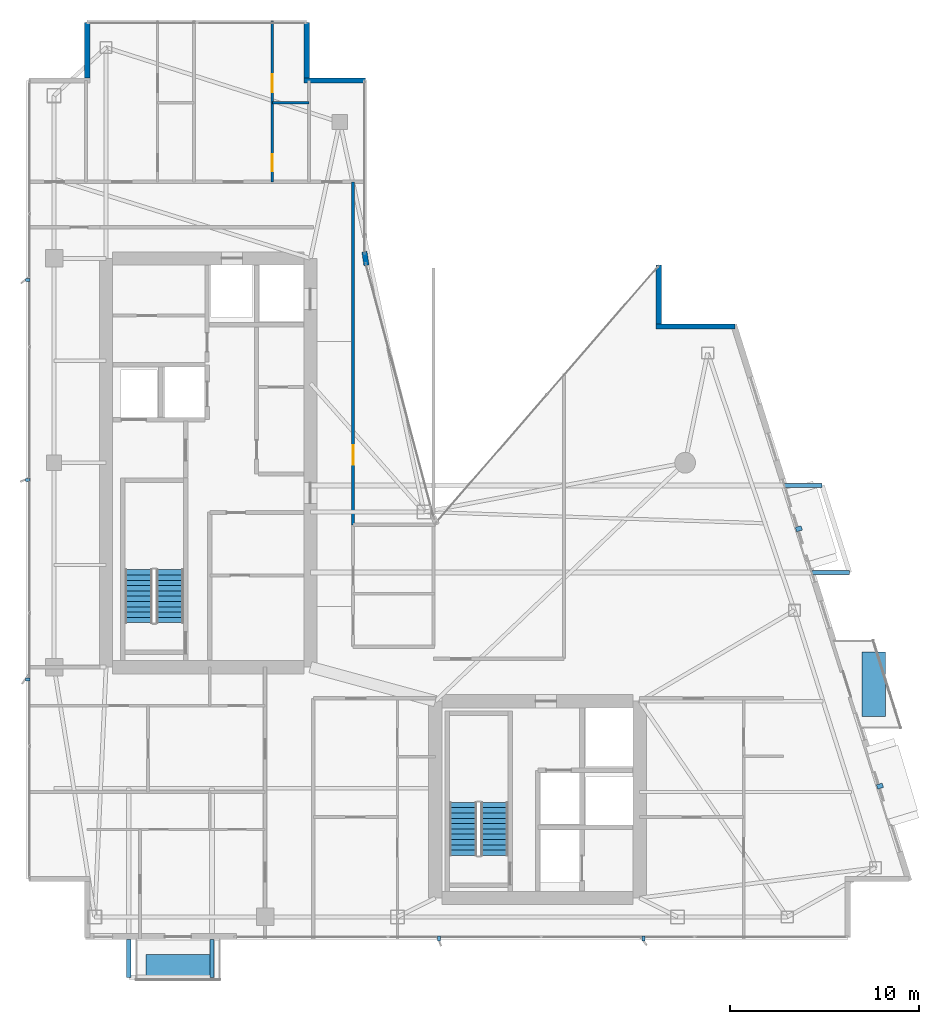
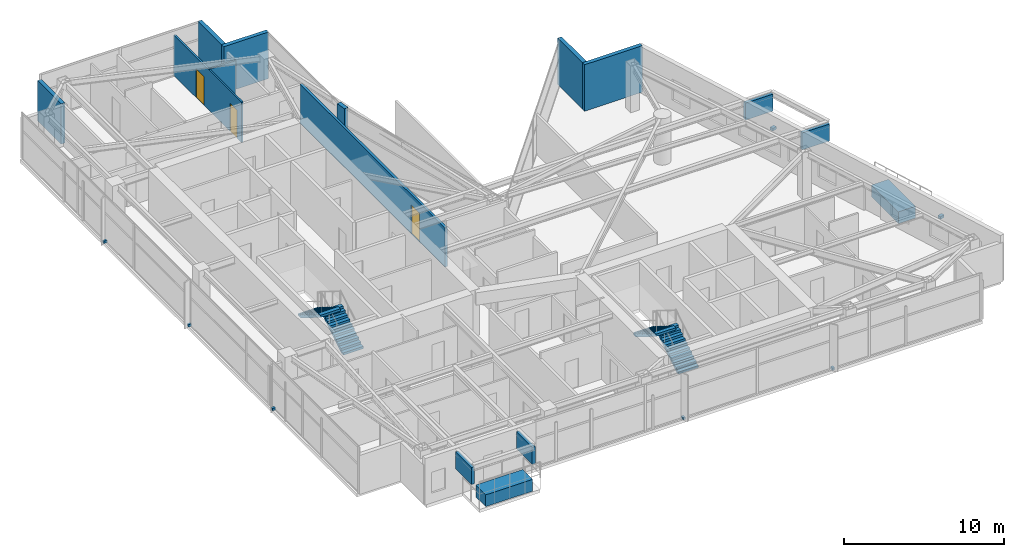
# One storey, part 27 of 29: 13 discrete accessories, 9 walls, 4 stair flights, 3 doors, 3 openings, 2 elements without a shape of their own.
"""IFC4 building model written with IfcOpenShell, lengths in metres."""

from ifc_helpers import new_model, si_unit, direction, frame, frame_2d, origin, origin_2d, place, context, subcontext, project, spatial, polyline, rectangle, outline, extrude, material, layer, layer_set, type_object, element, fill, aggregate, save


model = new_model("IFC4")

# Units and contexts
model_context = context("Model", 3, precision=1e-05, world=origin(), true_north=direction((0.0, 1.0)))
body_context = subcontext(model_context, "Body", "Model", "MODEL_VIEW")
ifc_project = project(units=[si_unit("LENGTHUNIT", "METRE"), si_unit("AREAUNIT", "SQUARE_METRE"), si_unit("VOLUMEUNIT", "CUBIC_METRE"), si_unit("PLANEANGLEUNIT", "RADIAN"), si_unit("MASSUNIT", "GRAM", prefix="KILO")], contexts=[model_context])

# Site, building, storey
site_placement = place(None, origin())
site = spatial("IfcSite", under=ifc_project, at=site_placement, CompositionType="ELEMENT")
building_placement = place(site_placement, origin())
building = spatial("IfcBuilding", under=site, at=building_placement, Name="Calvorn Quay Hotel", CompositionType="ELEMENT")
storey_placement = place(building_placement, frame((0.0, 0.0, 251.39990234375)))
storey = spatial("IfcBuildingStorey", under=building, at=storey_placement, Name="L62", CompositionType="ELEMENT", Elevation=251.39990234375)

# Wall, opening, door
ifc_material_1 = material(Name="Acoustic Fireboard Steel-Stud Partition", Category="steel")
ifc_layer_1 = layer(ifc_material_1, 0.179931640625)
ifc_layer_set_1 = layer_set([ifc_layer_1], Name="WL-CORR-FIRE-180")
wall_type_1 = type_object("IfcWallType", Name="WL-CORR-FIRE-180", PredefinedType="PARTITIONING", material=ifc_layer_set_1)
wall_1_placement = place(storey_placement, frame((17.25, 24.300048828125, 0.0), z_axis=(0.0, 0.0, 1.0), x_axis=(0.0, 1.0, 0.0)))
wall_1 = element("IfcWall", 1, at=wall_1_placement, inside=storey, type_object=wall_type_1, Name="Partition Wall L62-WL-NW-CLOSURE-E", PredefinedType="PARTITIONING", context=body_context, shape_type="SweptSolid", body=[
    extrude(rectangle(XDim=18.14990234375, YDim=0.179931640625, at=frame_2d((9.074951171875, 0.0))), origin(), (0.0, 0.0, 1.0), 2.989990234375),
])
opening_1_placement = place(wall_1_placement, frame((3.199951171875, 0.0, 0.0)))
opening_1 = element("IfcOpeningElement", 2, at=opening_1_placement, cuts=wall_1, Name="Opening D-L62-NCU", PredefinedType="OPENING", context=body_context, shape_type="SweptSolid", body=[
    extrude(rectangle(XDim=1.02001953125, YDim=2.199951171875, at=frame_2d((0.510009765625, 1.10009765625))), frame((0.0, 0.099853515625, 0.0), z_axis=(0.0, -1.0, 0.0), x_axis=(1.0, 0.0, 0.0)), (0.0, 0.0, 1.0), 0.199951171875),
])
ifc_material_2 = material(Name="Solid-Core Walnut Veneer Hotel Fire Door")
door_type_1 = type_object("IfcDoorType", Name="DR-GUEST-ENTRY-1020", OperationType="NOTDEFINED", PredefinedType="DOOR", material=ifc_material_2)
door_1_placement = place(opening_1_placement, origin())
door_1 = element("IfcDoor", 3, at=door_1_placement, inside=storey, type_object=door_type_1, Name="Inner Court Horizon Study Door (L62)", OperationType="SINGLE_SWING_RIGHT", OverallHeight=2.199951171875, OverallWidth=1.02001953125, PredefinedType="DOOR", context=body_context, shape_type="SweptSolid", body=[
    extrude(rectangle(XDim=1.02001953125, YDim=2.199951171875, at=frame_2d((0.510009765625, 1.10009765625))), frame((0.0, 0.02490234375, 0.0), z_axis=(0.0, -1.0, 0.0), x_axis=(1.0, 0.0, 0.0)), (0.0, 0.0, 1.0), 0.050048828125),
])
fill(opening_1, door_1)

# Wall
ifc_material_3 = material(Name="Moisture-Resistant Tile-Backed Partition")
ifc_layer_2 = layer(ifc_material_3, 0.125)
ifc_layer_set_2 = layer_set([ifc_layer_2], Name="WL-ENSUITE-125")
wall_type_2 = type_object("IfcWallType", Name="WL-ENSUITE-125", PredefinedType="PARTITIONING", material=ifc_layer_set_2)
wall_2_placement = place(storey_placement, frame((12.989990234375, 46.6201171875, 0.0), z_axis=(0.0, 0.0, 1.0), x_axis=(1.0, 0.0, 0.0)))
element("IfcWall", 4, at=wall_2_placement, inside=storey, type_object=wall_type_2, Name="Partition Wall L62-WL-U05-BDV", PredefinedType="PARTITIONING", context=body_context, shape_type="SweptSolid", body=[
    extrude(rectangle(XDim=1.929931640625, YDim=0.125, at=frame_2d((0.96484375, 0.0))), origin(), (0.0, 0.0, 1.0), 3.090087890625),
])

# Wall, openings, doors
wall_3_placement = place(storey_placement, frame((12.989990234375, 42.449951171875, 0.0), z_axis=(0.0, 0.0, 1.0), x_axis=(0.0, 1.0, 0.0)))
wall_3 = element("IfcWall", 5, at=wall_3_placement, inside=storey, type_object=wall_type_2, Name="Partition Wall L62-WL-U05-BV", PredefinedType="PARTITIONING", context=body_context, shape_type="SweptSolid", body=[
    extrude(rectangle(XDim=8.489990234375, YDim=0.125, at=frame_2d((4.2451171875, 0.0))), origin(), (0.0, 0.0, 1.0), 3.090087890625),
])
opening_2_placement = place(wall_3_placement, frame((0.550048828125, 0.0, 0.0)))
opening_2 = element("IfcOpeningElement", 6, at=opening_2_placement, cuts=wall_3, Name="Opening D-L62-E05", PredefinedType="OPENING", context=body_context, shape_type="SweptSolid", body=[
    extrude(rectangle(XDim=0.89990234375, YDim=2.14990234375, at=frame_2d((0.449951171875, 1.074951171875))), frame((0.0, 0.072509765625, 0.0), z_axis=(0.0, -1.0, 0.0), x_axis=(1.0, 0.0, 0.0)), (0.0, 0.0, 1.0), 0.14501953125),
])
opening_3_placement = place(wall_3_placement, frame((4.719970703125, 0.0, 0.0)))
opening_3 = element("IfcOpeningElement", 7, at=opening_3_placement, cuts=wall_3, Name="Opening D-L62-S05", PredefinedType="OPENING", context=body_context, shape_type="SweptSolid", body=[
    extrude(rectangle(XDim=0.9599609375, YDim=2.199951171875, at=frame_2d((0.47998046875, 1.10009765625))), frame((0.0, 0.072509765625, 0.0), z_axis=(0.0, -1.0, 0.0), x_axis=(1.0, 0.0, 0.0)), (0.0, 0.0, 1.0), 0.14501953125),
])
ifc_material_4 = material(Name="Moisture-Sealed Timber En-Suite Door", Category="wood")
door_type_2 = type_object("IfcDoorType", Name="DR-ENSUITE-900", OperationType="NOTDEFINED", PredefinedType="DOOR", material=ifc_material_4)
door_2_placement = place(opening_2_placement, origin())
door_2 = element("IfcDoor", 8, at=door_2_placement, inside=storey, type_object=door_type_2, Name="En-Suite Door 05", OperationType="SINGLE_SWING_LEFT", OverallHeight=2.14990234375, OverallWidth=0.89990234375, PredefinedType="DOOR", context=body_context, shape_type="SweptSolid", body=[
    extrude(rectangle(XDim=0.89990234375, YDim=2.14990234375, at=frame_2d((0.449951171875, 1.074951171875))), frame((0.0, 0.02490234375, 0.0), z_axis=(0.0, -1.0, 0.0), x_axis=(1.0, 0.0, 0.0)), (0.0, 0.0, 1.0), 0.050048828125),
])
fill(opening_2, door_2)
ifc_material_5 = material(Name="Solid Timber Internal Suite Door", Category="wood")
door_type_3 = type_object("IfcDoorType", Name="DR-SUITE-INT-960", OperationType="NOTDEFINED", PredefinedType="DOOR", material=ifc_material_5)
door_3_placement = place(opening_3_placement, origin())
door_3 = element("IfcDoor", 9, at=door_3_placement, inside=storey, type_object=door_type_3, Name="Curated Resort Boutique Door 05", OperationType="SINGLE_SWING_RIGHT", OverallHeight=2.199951171875, OverallWidth=0.9599609375, PredefinedType="DOOR", context=body_context, shape_type="SweptSolid", body=[
    extrude(rectangle(XDim=0.9599609375, YDim=2.199951171875, at=frame_2d((0.47998046875, 1.10009765625))), frame((0.0, 0.02490234375, 0.0), z_axis=(0.0, -1.0, 0.0), x_axis=(1.0, 0.0, 0.0)), (0.0, 0.0, 1.0), 0.050048828125),
])
fill(opening_3, door_3)

# Walls
ifc_material_6 = material(Name="Concrete C40", Category="concrete")
ifc_layer_3 = layer(ifc_material_6, 0.320068359375)
ifc_layer_set_3 = layer_set([ifc_layer_3], Name="WL-EXT-SPANDREL-320")
wall_type_3 = type_object("IfcWallType", Name="WL-EXT-SPANDREL-320", PredefinedType="SOLIDWALL", material=ifc_layer_set_3)
wall_4_placement = place(storey_placement, frame((17.9619140625, 38.030029296875, 0.0), z_axis=(0.0, 0.0, 1.0), x_axis=(-0.15141125477, 0.988470855377, 0.0)))
element("IfcWall", 10, at=wall_4_placement, inside=storey, type_object=wall_type_3, Name="Inner Court Corner Pier L62-ICJ2", PredefinedType="SOLIDWALL", context=body_context, shape_type="SweptSolid", body=[
    extrude(rectangle(XDim=0.738525390625, YDim=0.280029296875, at=frame_2d((0.369140625, 0.0))), origin(), (0.0, 0.0, 1.0), 3.56005859375),
])
wall_5_placement = place(storey_placement, frame((37.43994140625, 34.800048828125, 0.0), z_axis=(0.0, 0.0, 1.0), x_axis=(-1.0, 0.0, 0.0)))
element("IfcWall", 11, at=wall_5_placement, inside=storey, type_object=wall_type_3, Name="Notched Corner Spandrel L62-NE1", PredefinedType="SOLIDWALL", context=body_context, shape_type="SweptSolid", body=[
    extrude(rectangle(XDim=4.179931640625, YDim=0.280029296875, at=frame_2d((2.08984375, 0.0))), origin(), (0.0, 0.0, 1.0), 3.56005859375),
])
wall_6_placement = place(storey_placement, frame((33.39990234375, 34.93994140625, 0.0), z_axis=(0.0, 0.0, 1.0), x_axis=(0.0, 1.0, 0.0)))
element("IfcWall", 12, at=wall_6_placement, inside=storey, type_object=wall_type_3, Name="Notched Corner Spandrel L62-NE2", PredefinedType="SOLIDWALL", context=body_context, shape_type="SweptSolid", body=[
    extrude(rectangle(XDim=3.10009765625, YDim=0.280029296875, at=frame_2d((1.550048828125, 0.0))), origin(), (0.0, 0.0, 1.0), 3.56005859375),
])
wall_7_placement = place(storey_placement, frame((17.89990234375, 47.800048828125, 0.0), z_axis=(0.0, 0.0, 1.0), x_axis=(-1.0, 0.0, 0.0)))
element("IfcWall", 13, at=wall_7_placement, inside=storey, type_object=wall_type_3, Name="Notched Corner Spandrel L62-NWE1", PredefinedType="SOLIDWALL", context=body_context, shape_type="SweptSolid", body=[
    extrude(rectangle(XDim=3.239990234375, YDim=0.280029296875, at=frame_2d((1.6201171875, 0.0))), origin(), (0.0, 0.0, 1.0), 3.56005859375),
])
wall_8_placement = place(storey_placement, frame((14.800048828125, 47.93994140625, 0.0), z_axis=(0.0, 0.0, 1.0), x_axis=(0.0, 1.0, 0.0)))
element("IfcWall", 14, at=wall_8_placement, inside=storey, type_object=wall_type_3, Name="Notched Corner Spandrel L62-NWE2", PredefinedType="SOLIDWALL", context=body_context, shape_type="SweptSolid", body=[
    extrude(rectangle(XDim=2.93994140625, YDim=0.280029296875, at=frame_2d((1.469970703125, 0.0))), origin(), (0.0, 0.0, 1.0), 3.56005859375),
])
wall_9_placement = place(storey_placement, frame((3.199951171875, 50.8798828125, 0.0), z_axis=(0.0, 0.0, 1.0), x_axis=(0.0, -1.0, 0.0)))
element("IfcWall", 15, at=wall_9_placement, inside=storey, type_object=wall_type_3, Name="Notched Corner Spandrel L62-NW1", PredefinedType="SOLIDWALL", context=body_context, shape_type="SweptSolid", body=[
    extrude(rectangle(XDim=2.93994140625, YDim=0.280029296875, at=frame_2d((1.469970703125, 0.0))), origin(), (0.0, 0.0, 1.0), 3.090087890625),
])

# Stair, stair flights
ifc_material_7 = material(Name="Concrete C40", Category="concrete")
stair_type = type_object("IfcStairType", Name="STR-CORE-DOGLEG", PredefinedType="HALF_TURN_STAIR", material=ifc_material_7)
stair_1_placement = place(storey_placement, origin())
stair_1 = element("IfcStair", 16, at=stair_1_placement, inside=storey, type_object=stair_type, Name="L62 ST-W", PredefinedType="HALF_TURN_STAIR")
ifc_material_8 = material(Name="Concrete C40", Category="concrete")
stair_flight_type = type_object("IfcStairFlightType", Name="FLT-CORE-1550", PredefinedType="STRAIGHT", material=ifc_material_8)
stair_flight_1_placement = place(storey_placement, frame((7.574951171875, 19.14990234375, 0.0), z_axis=(0.0, 0.0, 1.0), x_axis=(0.0, 1.0, 0.0)))
stair_flight_1 = element("IfcStairFlight", 17, at=stair_flight_1_placement, type_object=stair_flight_type, Name="ST-W flight 1", NumberOfRisers=11, NumberOfTreads=10, PredefinedType="STRAIGHT", RiserHeight=0.172727273, TreadLength=0.28, context=body_context, shape_type="SweptSolid", body=[
    extrude(outline(polyline([(0.0, 0.0), (0.0, 0.172607421875), (0.280029296875, 0.172607421875), (0.280029296875, 0.345458984375), (0.56005859375, 0.345458984375), (0.56005859375, 0.51806640625), (0.840087890625, 0.51806640625), (0.840087890625, 0.69091796875), (1.1201171875, 0.69091796875), (1.1201171875, 0.863525390625), (1.39990234375, 0.863525390625), (1.39990234375, 1.036376953125), (1.679931640625, 1.036376953125), (1.679931640625, 1.208984375), (1.9599609375, 1.208984375), (1.9599609375, 1.3818359375), (2.239990234375, 1.3818359375), (2.239990234375, 1.554443359375), (2.52001953125, 1.554443359375), (2.52001953125, 1.727294921875), (2.800048828125, 1.727294921875), (2.800048828125, 1.89990234375), (2.800048828125, 1.551025390625), (0.285400390625, 0.0), (0.0, 0.0)])), frame((0.0, 0.72509765625, 0.0), z_axis=(0.0, -1.0, 0.0), x_axis=(1.0, 0.0, 0.0)), (0.0, 0.0, 1.0), 1.449951171875),
])
stair_flight_2_placement = place(storey_placement, frame((5.925048828125, 21.949951171875, 1.900146484375), z_axis=(0.0, 0.0, 1.0), x_axis=(0.0, -1.0, 0.0)))
stair_flight_2 = element("IfcStairFlight", 18, at=stair_flight_2_placement, type_object=stair_flight_type, Name="ST-W flight 2", NumberOfRisers=11, NumberOfTreads=10, PredefinedType="STRAIGHT", RiserHeight=0.172727273, TreadLength=0.28, context=body_context, shape_type="SweptSolid", body=[
    extrude(outline(polyline([(0.0, 0.0), (0.0, 0.172607421875), (0.280029296875, 0.172607421875), (0.280029296875, 0.345458984375), (0.56005859375, 0.345458984375), (0.56005859375, 0.51806640625), (0.840087890625, 0.51806640625), (0.840087890625, 0.69091796875), (1.1201171875, 0.69091796875), (1.1201171875, 0.863525390625), (1.39990234375, 0.863525390625), (1.39990234375, 1.036376953125), (1.679931640625, 1.036376953125), (1.679931640625, 1.208984375), (1.9599609375, 1.208984375), (1.9599609375, 1.3818359375), (2.239990234375, 1.3818359375), (2.239990234375, 1.554443359375), (2.52001953125, 1.554443359375), (2.52001953125, 1.727294921875), (2.800048828125, 1.727294921875), (2.800048828125, 1.89990234375), (2.800048828125, 1.551025390625), (0.285400390625, 0.0), (0.0, 0.0)])), frame((0.0, 0.72509765625, 0.0), z_axis=(0.0, -1.0, 0.0), x_axis=(1.0, 0.0, 0.0)), (0.0, 0.0, 1.0), 1.449951171875),
])
aggregate(stair_1, [stair_flight_1, stair_flight_2])

stair_2_placement = place(storey_placement, origin())
stair_2 = element("IfcStair", 19, at=stair_2_placement, inside=storey, type_object=stair_type, Name="L62 ST-E", PredefinedType="HALF_TURN_STAIR")
stair_flight_3_placement = place(storey_placement, frame((24.72509765625, 6.85009765625, 0.0), z_axis=(0.0, 0.0, 1.0), x_axis=(0.0, 1.0, 0.0)))
stair_flight_3 = element("IfcStairFlight", 20, at=stair_flight_3_placement, type_object=stair_flight_type, Name="ST-E flight 1", NumberOfRisers=11, NumberOfTreads=10, PredefinedType="STRAIGHT", RiserHeight=0.172727273, TreadLength=0.28, context=body_context, shape_type="SweptSolid", body=[
    extrude(outline(polyline([(0.0, 0.0), (0.0, 0.172607421875), (0.280029296875, 0.172607421875), (0.280029296875, 0.345458984375), (0.56005859375, 0.345458984375), (0.56005859375, 0.51806640625), (0.840087890625, 0.51806640625), (0.840087890625, 0.69091796875), (1.1201171875, 0.69091796875), (1.1201171875, 0.863525390625), (1.39990234375, 0.863525390625), (1.39990234375, 1.036376953125), (1.679931640625, 1.036376953125), (1.679931640625, 1.208984375), (1.9599609375, 1.208984375), (1.9599609375, 1.3818359375), (2.239990234375, 1.3818359375), (2.239990234375, 1.554443359375), (2.52001953125, 1.554443359375), (2.52001953125, 1.727294921875), (2.800048828125, 1.727294921875), (2.800048828125, 1.89990234375), (2.800048828125, 1.551025390625), (0.285400390625, 0.0), (0.0, 0.0)])), frame((0.0, 0.72509765625, 0.0), z_axis=(0.0, -1.0, 0.0), x_axis=(1.0, 0.0, 0.0)), (0.0, 0.0, 1.0), 1.449951171875),
])
stair_flight_4_placement = place(storey_placement, frame((23.074951171875, 9.64990234375, 1.900146484375), z_axis=(0.0, 0.0, 1.0), x_axis=(0.0, -1.0, 0.0)))
stair_flight_4 = element("IfcStairFlight", 21, at=stair_flight_4_placement, type_object=stair_flight_type, Name="ST-E flight 2", NumberOfRisers=11, NumberOfTreads=10, PredefinedType="STRAIGHT", RiserHeight=0.172727273, TreadLength=0.28, context=body_context, shape_type="SweptSolid", body=[
    extrude(outline(polyline([(0.0, 0.0), (0.0, 0.172607421875), (0.280029296875, 0.172607421875), (0.280029296875, 0.345458984375), (0.56005859375, 0.345458984375), (0.56005859375, 0.51806640625), (0.840087890625, 0.51806640625), (0.840087890625, 0.69091796875), (1.1201171875, 0.69091796875), (1.1201171875, 0.863525390625), (1.39990234375, 0.863525390625), (1.39990234375, 1.036376953125), (1.679931640625, 1.036376953125), (1.679931640625, 1.208984375), (1.9599609375, 1.208984375), (1.9599609375, 1.3818359375), (2.239990234375, 1.3818359375), (2.239990234375, 1.554443359375), (2.52001953125, 1.554443359375), (2.52001953125, 1.727294921875), (2.800048828125, 1.727294921875), (2.800048828125, 1.89990234375), (2.800048828125, 1.551025390625), (0.285400390625, 0.0), (0.0, 0.0)])), frame((0.0, 0.72509765625, 0.0), z_axis=(0.0, -1.0, 0.0), x_axis=(1.0, 0.0, 0.0)), (0.0, 0.0, 1.0), 1.449951171875),
])
aggregate(stair_2, [stair_flight_3, stair_flight_4])

# Discrete accessories
ifc_material_9 = material(Name="Steel Q355B", Category="steel")
discrete_accessory_type_1 = type_object("IfcDiscreteAccessoryType", Name="ACC-BALC-STRUT", PredefinedType="BRACKET", material=ifc_material_9)
for number, where, z_axis, x_axis, name in (
    (22, (42.490966796875, 21.800048828125, 2.01513671875), (0.0, 0.0, 1.0), (1.0, 0.0, 0.0), "Exterior Balcony Steel Bracket L63-BALC-E-A"),
    (23, (41.0419921875, 26.39990234375, 2.01513671875), (0.0, 0.0, 1.0), (1.0, 0.0, 0.0), "Exterior Balcony Steel Bracket L63-BALC-E-B"),
):
    element("IfcDiscreteAccessory", number, at=place(storey_placement, frame(where, z_axis=z_axis, x_axis=x_axis)), inside=storey, type_object=discrete_accessory_type_1, Name=name, PredefinedType="BRACKET", context=body_context, shape_type="SweptSolid", body=[
        extrude(rectangle(XDim=1.989990234375, YDim=0.219970703125, at=origin_2d()), origin(), (0.0, 0.0, 1.0), 1.300048828125),
    ])
for number, where, z_axis, x_axis, name in (
    (24, (5.39990234375, 1.405029296875, 2.01513671875), (0.0, 0.0, 1.0), (1.0, 0.0, 0.0), "Exterior Balcony Steel Bracket L63-BALC-S-A"),
    (25, (9.800048828125, 1.405029296875, 2.01513671875), (0.0, 0.0, 1.0), (1.0, 0.0, 0.0), "Exterior Balcony Steel Bracket L63-BALC-S-B"),
):
    element("IfcDiscreteAccessory", number, at=place(storey_placement, frame(where, z_axis=z_axis, x_axis=x_axis)), inside=storey, type_object=discrete_accessory_type_1, Name=name, PredefinedType="BRACKET", context=body_context, shape_type="SweptSolid", body=[
        extrude(rectangle(XDim=0.219970703125, YDim=1.989990234375, at=origin_2d()), origin(), (0.0, 0.0, 1.0), 1.300048828125),
    ])
ifc_material_10 = material(Name="Steel Q355B", Category="steel")
discrete_accessory_type_2 = type_object("IfcDiscreteAccessoryType", Name="ACC-FIN-BRACKET", PredefinedType="BRACKET", material=ifc_material_10)
for number, where, z_axis, x_axis, name in (
    (26, (0.06005859375, 16.14990234375, 0.0302734375), (0.0, 0.0, 1.0), (1.0, 0.0, 0.0), "Fin Anchor Bracket L62-W01"),
    (27, (0.06005859375, 26.699951171875, 0.0302734375), (0.0, 0.0, 1.0), (1.0, 0.0, 0.0), "Fin Anchor Bracket L62-W02"),
    (28, (0.06005859375, 37.25, 0.0302734375), (0.0, 0.0, 1.0), (1.0, 0.0, 0.0), "Fin Anchor Bracket L62-W03"),
    (29, (21.800048828125, 2.4599609375, 0.0302734375), (0.0, 0.0, 1.0), (0.0, 1.0, 0.0), "Fin Anchor Bracket L62-S01"),
    (30, (32.60009765625, 2.4599609375, 0.0302734375), (0.0, 0.0, 1.0), (0.0, 1.0, 0.0), "Fin Anchor Bracket L62-S02"),
):
    element("IfcDiscreteAccessory", number, at=place(storey_placement, frame(where, z_axis=z_axis, x_axis=x_axis)), inside=storey, type_object=discrete_accessory_type_2, Name=name, PredefinedType="BRACKET", context=body_context, shape_type="SweptSolid", body=[
        extrude(rectangle(XDim=0.239990234375, YDim=0.159912109375, at=origin_2d()), origin(), (0.0, 0.0, 1.0), 0.179931640625),
    ])
for number, where, z_axis, x_axis, name in (
    (31, (45.094970703125, 10.511962890625, 2.3701171875), (0.0, 0.0, 1.0), (0.957319497532, 0.289031796944, 0.0), "Bay Hood Support Bracket L62-HOOD-1"),
    (32, (40.81005859375, 24.112060546875, 2.3701171875), (0.0, 0.0, 1.0), (0.957319497532, 0.289031796944, 0.0), "Bay Hood Support Bracket L62-HOOD-3"),
):
    element("IfcDiscreteAccessory", number, at=place(storey_placement, frame(where, z_axis=z_axis, x_axis=x_axis)), inside=storey, type_object=discrete_accessory_type_2, Name=name, PredefinedType="BRACKET", context=body_context, shape_type="SweptSolid", body=[
        extrude(rectangle(XDim=0.320068359375, YDim=0.239990234375, at=origin_2d()), origin(), (0.0, 0.0, 1.0), 0.199951171875),
    ])
ifc_material_11 = material(Name="Precast concrete C40", Category="concrete")
discrete_accessory_type_3 = type_object("IfcDiscreteAccessoryType", Name="ACC-TREE-PLANTER", PredefinedType="USERDEFINED", material=ifc_material_11)
discrete_accessory_1_placement = place(storey_placement, frame((44.763916015625, 15.89990234375, 0.000244140625), z_axis=(0.0, 0.0, 1.0), x_axis=(1.0, 0.0, 0.0)))
element("IfcDiscreteAccessory", 33, at=discrete_accessory_1_placement, inside=storey, type_object=discrete_accessory_type_3, Name="Subtropical Tree Structural Planter L62-BALC-E", ObjectType="PLANTER", PredefinedType="USERDEFINED", context=body_context, shape_type="SweptSolid", body=[
    extrude(rectangle(XDim=1.25, YDim=3.39990234375, at=origin_2d()), origin(), (0.0, 0.0, 1.0), 0.89990234375),
])
discrete_accessory_2_placement = place(storey_placement, frame((8.0, 0.989990234375, 0.000244140625), z_axis=(0.0, 0.0, 1.0), x_axis=(1.0, 0.0, 0.0)))
element("IfcDiscreteAccessory", 34, at=discrete_accessory_2_placement, inside=storey, type_object=discrete_accessory_type_3, Name="Subtropical Tree Structural Planter L62-BALC-S", ObjectType="PLANTER", PredefinedType="USERDEFINED", context=body_context, shape_type="SweptSolid", body=[
    extrude(rectangle(XDim=3.39990234375, YDim=1.25, at=origin_2d()), origin(), (0.0, 0.0, 1.0), 0.89990234375),
])

save(model, "model.ifc")
